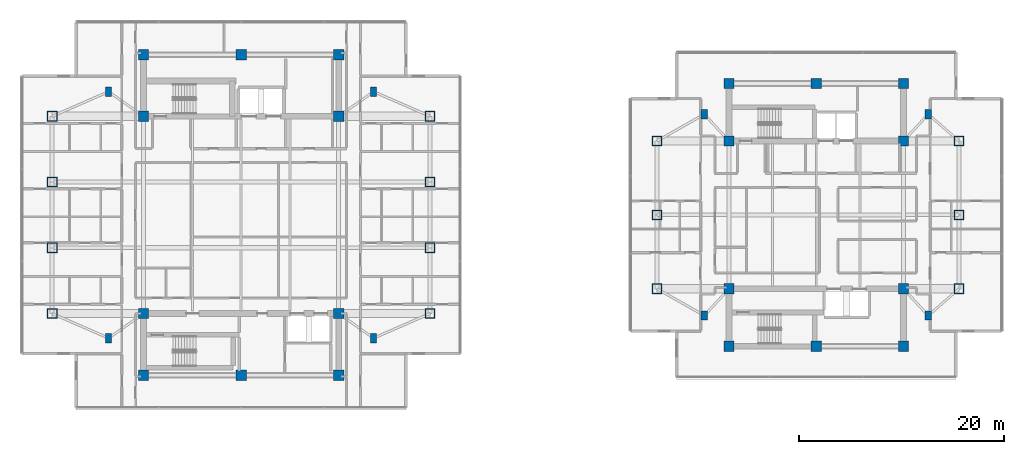
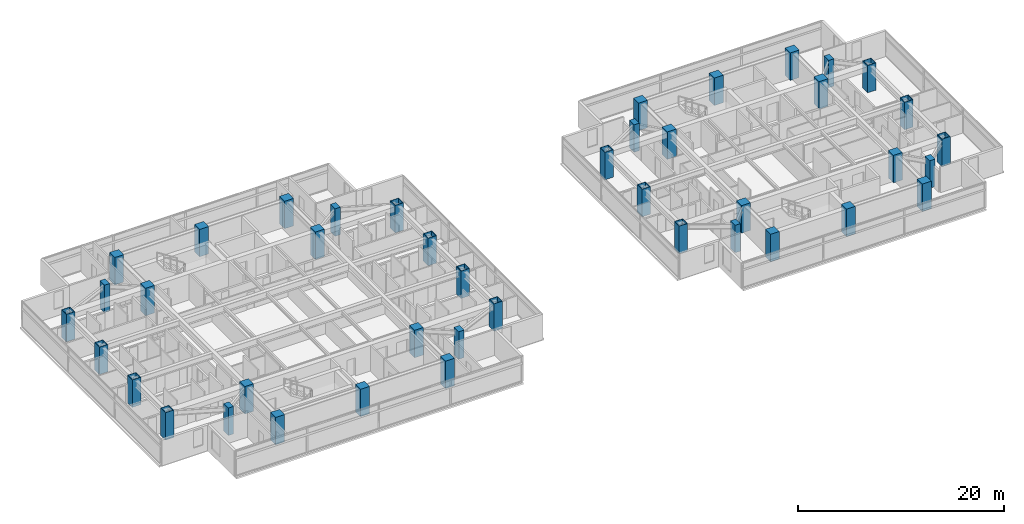
# One storey, part 1 of 25: 42 columns.
"""IFC4 building model written with IfcOpenShell, lengths in metres."""

from ifc_helpers import new_model, si_unit, direction, frame, origin, origin_2d, place, context, subcontext, project, spatial, rectangle, hollow_rectangle, extrude, material, material_profile, profile_set, type_object, element, save


model = new_model("IFC4")

# Units and contexts
model_context = context("Model", 3, precision=1e-05, world=origin(), true_north=direction((0.0, 1.0)))
body_context = subcontext(model_context, "Body", "Model", "MODEL_VIEW")
ifc_project = project(units=[si_unit("LENGTHUNIT", "METRE"), si_unit("AREAUNIT", "SQUARE_METRE"), si_unit("VOLUMEUNIT", "CUBIC_METRE"), si_unit("PLANEANGLEUNIT", "RADIAN"), si_unit("MASSUNIT", "GRAM", prefix="KILO")], contexts=[model_context])

# Site, building, storey
site_placement = place(None, origin())
site = spatial("IfcSite", under=ifc_project, at=site_placement, CompositionType="ELEMENT")
building_placement = place(site_placement, origin())
building = spatial("IfcBuilding", under=site, at=building_placement, Name="Mirazonda Arch Towers", CompositionType="ELEMENT")
storey_placement = place(building_placement, frame((0.0, 0.0, 173.89990234375)))
storey = spatial("IfcBuildingStorey", under=building, at=storey_placement, Name="L49", CompositionType="ELEMENT", Elevation=173.89990234375)

# Columns
ifc_material_1 = material(Name="Concrete C50/60", Category="concrete")
ifc_material_profile_1 = material_profile(ifc_material_1, rectangle(XDim=1.0, YDim=1.0, at=origin_2d()), Name="RC1000x1000")
ifc_profile_set_1 = profile_set([ifc_material_profile_1], Name="Concrete C50/60")
column_type_1 = type_object("IfcColumnType", Name="COL-INT-RC1000x1000", PredefinedType="COLUMN", material=ifc_profile_set_1)
for number, where, z_axis, x_axis, name in (
    (1, (11.0, 12.39990234375, 0.0), (0.0, 0.0, 1.0), (1.0, 0.0, 0.0), "L49 T1 Core Column 01"),
    (2, (20.5, 12.39990234375, 0.0), (0.0, 0.0, 1.0), (1.0, 0.0, 0.0), "L49 T1 Core Column 02"),
    (3, (30.0, 12.39990234375, 0.0), (0.0, 0.0, 1.0), (1.0, 0.0, 0.0), "L49 T1 Core Column 03"),
    (4, (11.0, 18.39990234375, 0.0), (0.0, 0.0, 1.0), (1.0, 0.0, 0.0), "L49 T1 Core Column 04"),
    (5, (30.0, 18.39990234375, 0.0), (0.0, 0.0, 1.0), (1.0, 0.0, 0.0), "L49 T1 Core Column 05"),
    (6, (11.0, 37.60009765625, 0.0), (0.0, 0.0, 1.0), (1.0, 0.0, 0.0), "L49 T1 Core Column 06"),
    (7, (30.0, 37.60009765625, 0.0), (0.0, 0.0, 1.0), (1.0, 0.0, 0.0), "L49 T1 Core Column 07"),
    (8, (11.0, 43.60009765625, 0.0), (0.0, 0.0, 1.0), (1.0, 0.0, 0.0), "L49 T1 Core Column 08"),
    (9, (20.5, 43.60009765625, 0.0), (0.0, 0.0, 1.0), (1.0, 0.0, 0.0), "L49 T1 Core Column 09"),
    (10, (30.0, 43.60009765625, 0.0), (0.0, 0.0, 1.0), (1.0, 0.0, 0.0), "L49 T1 Core Column 10"),
    (11, (68.0, 15.199951171875, 0.0), (0.0, 0.0, 1.0), (1.0, 0.0, 0.0), "L49 T2 Core Column 01"),
    (12, (76.5, 15.199951171875, 0.0), (0.0, 0.0, 1.0), (1.0, 0.0, 0.0), "L49 T2 Core Column 02"),
    (13, (85.0, 15.199951171875, 0.0), (0.0, 0.0, 1.0), (1.0, 0.0, 0.0), "L49 T2 Core Column 03"),
    (14, (68.0, 20.800048828125, 0.0), (0.0, 0.0, 1.0), (1.0, 0.0, 0.0), "L49 T2 Core Column 04"),
    (15, (85.0, 20.800048828125, 0.0), (0.0, 0.0, 1.0), (1.0, 0.0, 0.0), "L49 T2 Core Column 05"),
    (16, (68.0, 35.199951171875, 0.0), (0.0, 0.0, 1.0), (1.0, 0.0, 0.0), "L49 T2 Core Column 06"),
    (17, (85.0, 35.199951171875, 0.0), (0.0, 0.0, 1.0), (1.0, 0.0, 0.0), "L49 T2 Core Column 07"),
    (18, (68.0, 40.800048828125, 0.0), (0.0, 0.0, 1.0), (1.0, 0.0, 0.0), "L49 T2 Core Column 08"),
    (19, (76.5, 40.800048828125, 0.0), (0.0, 0.0, 1.0), (1.0, 0.0, 0.0), "L49 T2 Core Column 09"),
    (20, (85.0, 40.800048828125, 0.0), (0.0, 0.0, 1.0), (1.0, 0.0, 0.0), "L49 T2 Core Column 10"),
):
    element("IfcColumn", number, at=place(storey_placement, frame(where, z_axis=z_axis, x_axis=x_axis)), inside=storey, type_object=column_type_1, Name=name, PredefinedType="COLUMN", context=body_context, shape_type="SweptSolid", body=[
        extrude(rectangle(XDim=1.0, YDim=1.0, at=origin_2d()), origin(), (0.0, 0.0, 1.0), 3.25),
    ])
ifc_material_2 = material(Name="Steel ASTM A572 Grade 50", Category="steel")
ifc_material_profile_2 = material_profile(ifc_material_2, hollow_rectangle(XDim=0.949951171875, YDim=0.949951171875, WallThickness=0.050048828125, at=origin_2d()), Name="BOX950x950x50")
ifc_profile_set_2 = profile_set([ifc_material_profile_2], Name="Steel ASTM A572 Grade 50")
column_type_2 = type_object("IfcColumnType", Name="MCOL-EXT-BOX950x950x50", PredefinedType="COLUMN", material=ifc_profile_set_2)
for number, where, z_axis, x_axis, name in (
    (21, (2.10009765625, 18.39990234375, 0.0), (0.0, 0.0, 1.0), (1.0, 0.0, 0.0), "L49 T1 Composite Mega-Column 01"),
    (22, (2.10009765625, 24.800048828125, 0.0), (0.0, 0.0, 1.0), (1.0, 0.0, 0.0), "L49 T1 Composite Mega-Column 02"),
    (23, (2.10009765625, 31.199951171875, 0.0), (0.0, 0.0, 1.0), (1.0, 0.0, 0.0), "L49 T1 Composite Mega-Column 03"),
    (24, (2.10009765625, 37.60009765625, 0.0), (0.0, 0.0, 1.0), (1.0, 0.0, 0.0), "L49 T1 Composite Mega-Column 04"),
    (25, (38.89990234375, 18.39990234375, 0.0), (0.0, 0.0, 1.0), (1.0, 0.0, 0.0), "L49 T1 Composite Mega-Column 05"),
    (26, (38.89990234375, 24.800048828125, 0.0), (0.0, 0.0, 1.0), (1.0, 0.0, 0.0), "L49 T1 Composite Mega-Column 06"),
    (27, (38.89990234375, 31.199951171875, 0.0), (0.0, 0.0, 1.0), (1.0, 0.0, 0.0), "L49 T1 Composite Mega-Column 07"),
    (28, (38.89990234375, 37.60009765625, 0.0), (0.0, 0.0, 1.0), (1.0, 0.0, 0.0), "L49 T1 Composite Mega-Column 08"),
    (29, (61.0, 20.800048828125, 0.0), (0.0, 0.0, 1.0), (1.0, 0.0, 0.0), "L49 T2 Composite Mega-Column 01"),
    (30, (61.0, 28.0, 0.0), (0.0, 0.0, 1.0), (1.0, 0.0, 0.0), "L49 T2 Composite Mega-Column 02"),
    (31, (61.0, 35.199951171875, 0.0), (0.0, 0.0, 1.0), (1.0, 0.0, 0.0), "L49 T2 Composite Mega-Column 03"),
    (32, (90.39990234375, 20.800048828125, 0.0), (0.0, 0.0, 1.0), (1.0, 0.0, 0.0), "L49 T2 Composite Mega-Column 04"),
    (33, (90.39990234375, 28.0, 0.0), (0.0, 0.0, 1.0), (1.0, 0.0, 0.0), "L49 T2 Composite Mega-Column 05"),
    (34, (90.39990234375, 35.199951171875, 0.0), (0.0, 0.0, 1.0), (1.0, 0.0, 0.0), "L49 T2 Composite Mega-Column 06"),
):
    element("IfcColumn", number, at=place(storey_placement, frame(where, z_axis=z_axis, x_axis=x_axis)), inside=storey, type_object=column_type_2, Name=name, PredefinedType="COLUMN", context=body_context, shape_type="SweptSolid", body=[
        extrude(hollow_rectangle(XDim=0.949951171875, YDim=0.949951171875, WallThickness=0.050048828125, at=origin_2d()), origin(), (0.0, 0.0, 1.0), 3.25),
    ])
ifc_material_profile_3 = material_profile(ifc_material_1, rectangle(XDim=0.60009765625, YDim=0.89990234375, at=origin_2d()), Name="RC900x600")
ifc_profile_set_3 = profile_set([ifc_material_profile_3], Name="Concrete C50/60")
column_type_3 = type_object("IfcColumnType", Name="PIL-EXT-RC900x600", PredefinedType="PILASTER", material=ifc_profile_set_3)
for number, where, z_axis, x_axis, name in (
    (35, (7.60009765625, 16.0, 0.0), (0.0, 0.0, 1.0), (1.0, 0.0, 0.0), "L49 T1 Corner Pilaster 01"),
    (36, (33.39990234375, 16.0, 0.0), (0.0, 0.0, 1.0), (1.0, 0.0, 0.0), "L49 T1 Corner Pilaster 02"),
    (37, (7.60009765625, 40.0, 0.0), (0.0, 0.0, 1.0), (1.0, 0.0, 0.0), "L49 T1 Corner Pilaster 03"),
    (38, (33.39990234375, 40.0, 0.0), (0.0, 0.0, 1.0), (1.0, 0.0, 0.0), "L49 T1 Corner Pilaster 04"),
    (39, (65.60009765625, 18.199951171875, 0.0), (0.0, 0.0, 1.0), (1.0, 0.0, 0.0), "L49 T2 Corner Pilaster 01"),
    (40, (87.39990234375, 18.199951171875, 0.0), (0.0, 0.0, 1.0), (1.0, 0.0, 0.0), "L49 T2 Corner Pilaster 02"),
    (41, (65.60009765625, 37.800048828125, 0.0), (0.0, 0.0, 1.0), (1.0, 0.0, 0.0), "L49 T2 Corner Pilaster 03"),
    (42, (87.39990234375, 37.800048828125, 0.0), (0.0, 0.0, 1.0), (1.0, 0.0, 0.0), "L49 T2 Corner Pilaster 04"),
):
    element("IfcColumn", number, at=place(storey_placement, frame(where, z_axis=z_axis, x_axis=x_axis)), inside=storey, type_object=column_type_3, Name=name, PredefinedType="PILASTER", context=body_context, shape_type="SweptSolid", body=[
        extrude(rectangle(XDim=0.60009765625, YDim=0.89990234375, at=origin_2d()), origin(), (0.0, 0.0, 1.0), 3.25),
    ])

save(model, "model.ifc")
